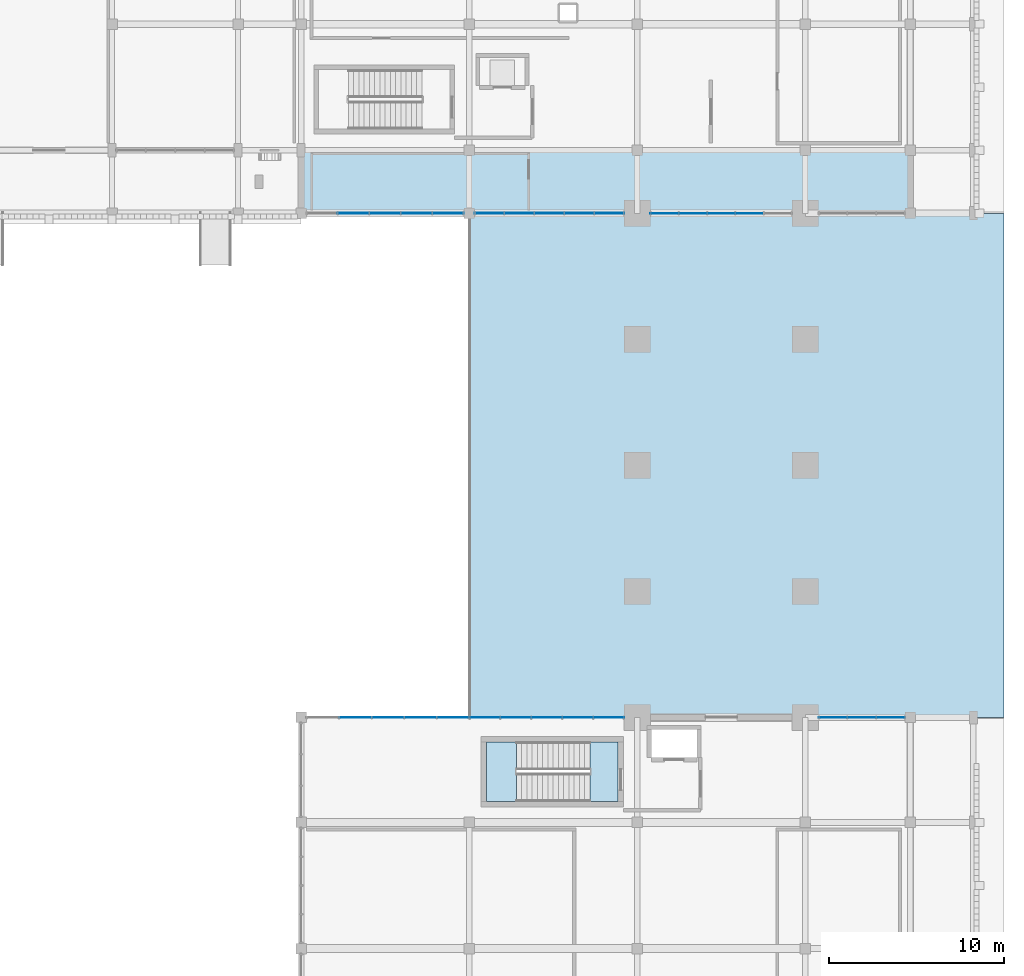
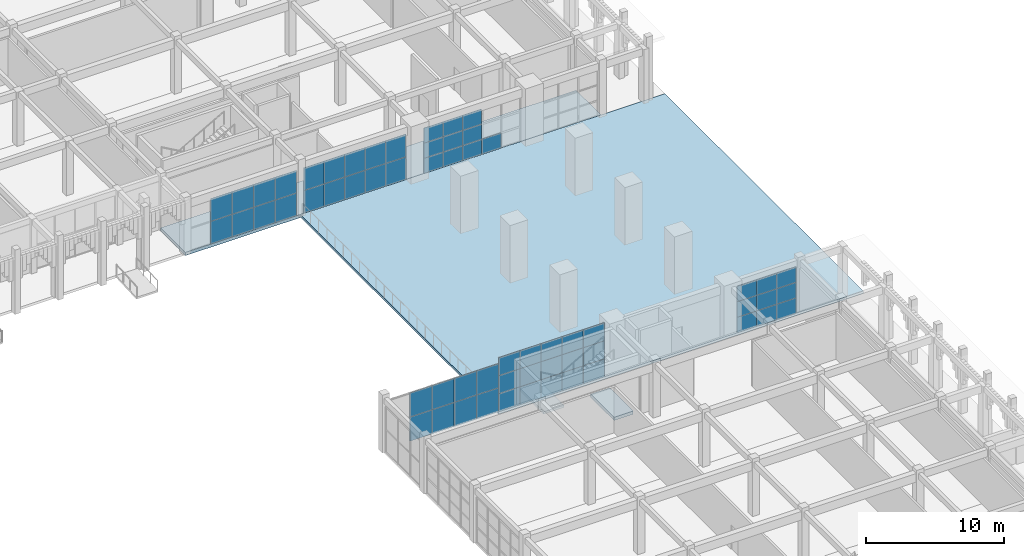
# One storey, part 33 of 72: 60 plates, 4 slabs, 7 elements without a shape of their own.
"""IFC4 building model written with IfcOpenShell, lengths in metres."""

from ifc_helpers import new_model, si_unit, direction, frame, origin, origin_2d, place, context, subcontext, project, spatial, polyline, rectangle, outline, extrude, material, layer, layer_set, type_object, element, aggregate, save


model = new_model("IFC4")

# Units and contexts
model_context = context("Model", 3, precision=1e-05, world=origin(), true_north=direction((0.0, 1.0)))
body_context = subcontext(model_context, "Body", "Model", "MODEL_VIEW")
ifc_project = project(units=[si_unit("LENGTHUNIT", "METRE"), si_unit("AREAUNIT", "SQUARE_METRE"), si_unit("VOLUMEUNIT", "CUBIC_METRE"), si_unit("PLANEANGLEUNIT", "RADIAN"), si_unit("MASSUNIT", "GRAM", prefix="KILO")], contexts=[model_context])

# Site, building, storey
site_placement = place(None, origin())
site = spatial("IfcSite", under=ifc_project, at=site_placement, CompositionType="ELEMENT")
building_placement = place(site_placement, origin())
building = spatial("IfcBuilding", under=site, at=building_placement, Name="Nzembalo Square Collegiate School", CompositionType="ELEMENT")
storey_placement = place(building_placement, origin())
storey = spatial("IfcBuildingStorey", under=building, at=storey_placement, Name="L00", CompositionType="ELEMENT", Elevation=0.0)

# Curtain wall, plates
ifc_material_1 = material(Name="Aluminium 6060-T66", Category="aluminium")
curtain_wall_type_1 = type_object("IfcCurtainWallType", Name="CW-09", PredefinedType="USERDEFINED", material=ifc_material_1)
curtain_wall_1_placement = place(storey_placement, origin())
curtain_wall_1 = element("IfcCurtainWall", 1, at=curtain_wall_1_placement, inside=storey, type_object=curtain_wall_type_1, Name="Curtain wall CW-09 cw:L00:016", ObjectType="UNITISED", PredefinedType="USERDEFINED")
ifc_material_2 = material(Name="Laminated solar-control double glazing", Category="glass")
ifc_layer_1 = layer(ifc_material_2, 0.028076171875, Name="Laminated solar-control double glazing")
ifc_layer_set_1 = layer_set([ifc_layer_1], Name="Laminated solar-control double glazing")
plate_type_1 = type_object("IfcPlateType", Name="PN01", PredefinedType="CURTAIN_PANEL", material=ifc_layer_set_1)
plate_1_placement = place(storey_placement, frame((141.284912109375, 50.39990234375, 0.00390625), z_axis=(0.0, 0.0, 1.0), x_axis=(1.0, 0.0, 0.0)))
plate_1 = element("IfcPlate", 2, at=plate_1_placement, type_object=plate_type_1, Name="PN01 glazed panel 1-1", PredefinedType="CURTAIN_PANEL", context=body_context, shape_type="SweptSolid", body=[
    extrude(rectangle(XDim=1.76171875, YDim=0.028076171875, at=origin_2d()), origin(), (0.0, 0.0, 1.0), 1.590087890625),
])
plate_2_placement = place(storey_placement, frame((143.054443359375, 50.39990234375, 0.00390625), z_axis=(0.0, 0.0, 1.0), x_axis=(1.0, 0.0, 0.0)))
plate_2 = element("IfcPlate", 3, at=plate_2_placement, type_object=plate_type_1, Name="PN01 glazed panel 1-2", PredefinedType="CURTAIN_PANEL", context=body_context, shape_type="SweptSolid", body=[
    extrude(rectangle(XDim=1.76171875, YDim=0.028076171875, at=origin_2d()), origin(), (0.0, 0.0, 1.0), 1.590087890625),
])
plate_3_placement = place(storey_placement, frame((144.823974609375, 50.39990234375, 0.00390625), z_axis=(0.0, 0.0, 1.0), x_axis=(1.0, 0.0, 0.0)))
plate_3 = element("IfcPlate", 4, at=plate_3_placement, type_object=plate_type_1, Name="PN01 glazed panel 1-3", PredefinedType="CURTAIN_PANEL", context=body_context, shape_type="SweptSolid", body=[
    extrude(rectangle(XDim=1.76171875, YDim=0.028076171875, at=origin_2d()), origin(), (0.0, 0.0, 1.0), 1.590087890625),
])
plate_4_placement = place(storey_placement, frame((146.593505859375, 50.39990234375, 0.00390625), z_axis=(0.0, 0.0, 1.0), x_axis=(1.0, 0.0, 0.0)))
plate_4 = element("IfcPlate", 5, at=plate_4_placement, type_object=plate_type_1, Name="PN01 glazed panel 1-4", PredefinedType="CURTAIN_PANEL", context=body_context, shape_type="SweptSolid", body=[
    extrude(rectangle(XDim=1.76171875, YDim=0.028076171875, at=origin_2d()), origin(), (0.0, 0.0, 1.0), 1.590087890625),
])
plate_5_placement = place(storey_placement, frame((148.36328125, 50.39990234375, 0.00390625), z_axis=(0.0, 0.0, 1.0), x_axis=(1.0, 0.0, 0.0)))
plate_5 = element("IfcPlate", 6, at=plate_5_placement, type_object=plate_type_1, Name="PN01 glazed panel 1-5", PredefinedType="CURTAIN_PANEL", context=body_context, shape_type="SweptSolid", body=[
    extrude(rectangle(XDim=1.76171875, YDim=0.028076171875, at=origin_2d()), origin(), (0.0, 0.0, 1.0), 1.590087890625),
])
plate_6_placement = place(storey_placement, frame((141.284912109375, 50.39990234375, 1.60205078125), z_axis=(0.0, 0.0, 1.0), x_axis=(1.0, 0.0, 0.0)))
plate_6 = element("IfcPlate", 7, at=plate_6_placement, type_object=plate_type_1, Name="PN01 glazed panel 2-1", PredefinedType="CURTAIN_PANEL", context=body_context, shape_type="SweptSolid", body=[
    extrude(rectangle(XDim=1.76171875, YDim=0.028076171875, at=origin_2d()), origin(), (0.0, 0.0, 1.0), 1.590087890625),
])
plate_7_placement = place(storey_placement, frame((143.054443359375, 50.39990234375, 1.60205078125), z_axis=(0.0, 0.0, 1.0), x_axis=(1.0, 0.0, 0.0)))
plate_7 = element("IfcPlate", 8, at=plate_7_placement, type_object=plate_type_1, Name="PN01 glazed panel 2-2", PredefinedType="CURTAIN_PANEL", context=body_context, shape_type="SweptSolid", body=[
    extrude(rectangle(XDim=1.76171875, YDim=0.028076171875, at=origin_2d()), origin(), (0.0, 0.0, 1.0), 1.590087890625),
])
plate_8_placement = place(storey_placement, frame((144.823974609375, 50.39990234375, 1.60205078125), z_axis=(0.0, 0.0, 1.0), x_axis=(1.0, 0.0, 0.0)))
plate_8 = element("IfcPlate", 9, at=plate_8_placement, type_object=plate_type_1, Name="PN01 glazed panel 2-3", PredefinedType="CURTAIN_PANEL", context=body_context, shape_type="SweptSolid", body=[
    extrude(rectangle(XDim=1.76171875, YDim=0.028076171875, at=origin_2d()), origin(), (0.0, 0.0, 1.0), 1.590087890625),
])
plate_9_placement = place(storey_placement, frame((146.593505859375, 50.39990234375, 1.60205078125), z_axis=(0.0, 0.0, 1.0), x_axis=(1.0, 0.0, 0.0)))
plate_9 = element("IfcPlate", 10, at=plate_9_placement, type_object=plate_type_1, Name="PN01 glazed panel 2-4", PredefinedType="CURTAIN_PANEL", context=body_context, shape_type="SweptSolid", body=[
    extrude(rectangle(XDim=1.76171875, YDim=0.028076171875, at=origin_2d()), origin(), (0.0, 0.0, 1.0), 1.590087890625),
])
plate_10_placement = place(storey_placement, frame((148.36328125, 50.39990234375, 1.60205078125), z_axis=(0.0, 0.0, 1.0), x_axis=(1.0, 0.0, 0.0)))
plate_10 = element("IfcPlate", 11, at=plate_10_placement, type_object=plate_type_1, Name="PN01 glazed panel 2-5", PredefinedType="CURTAIN_PANEL", context=body_context, shape_type="SweptSolid", body=[
    extrude(rectangle(XDim=1.76171875, YDim=0.028076171875, at=origin_2d()), origin(), (0.0, 0.0, 1.0), 1.590087890625),
])
plate_11_placement = place(storey_placement, frame((141.284912109375, 50.39990234375, 3.2001953125), z_axis=(0.0, 0.0, 1.0), x_axis=(1.0, 0.0, 0.0)))
plate_11 = element("IfcPlate", 12, at=plate_11_placement, type_object=plate_type_1, Name="PN01 glazed panel 3-1", PredefinedType="CURTAIN_PANEL", context=body_context, shape_type="SweptSolid", body=[
    extrude(rectangle(XDim=1.76171875, YDim=0.028076171875, at=origin_2d()), origin(), (0.0, 0.0, 1.0), 1.590087890625),
])
plate_12_placement = place(storey_placement, frame((143.054443359375, 50.39990234375, 3.2001953125), z_axis=(0.0, 0.0, 1.0), x_axis=(1.0, 0.0, 0.0)))
plate_12 = element("IfcPlate", 13, at=plate_12_placement, type_object=plate_type_1, Name="PN01 glazed panel 3-2", PredefinedType="CURTAIN_PANEL", context=body_context, shape_type="SweptSolid", body=[
    extrude(rectangle(XDim=1.76171875, YDim=0.028076171875, at=origin_2d()), origin(), (0.0, 0.0, 1.0), 1.590087890625),
])
plate_13_placement = place(storey_placement, frame((144.823974609375, 50.39990234375, 3.2001953125), z_axis=(0.0, 0.0, 1.0), x_axis=(1.0, 0.0, 0.0)))
plate_13 = element("IfcPlate", 14, at=plate_13_placement, type_object=plate_type_1, Name="PN01 glazed panel 3-3", PredefinedType="CURTAIN_PANEL", context=body_context, shape_type="SweptSolid", body=[
    extrude(rectangle(XDim=1.76171875, YDim=0.028076171875, at=origin_2d()), origin(), (0.0, 0.0, 1.0), 1.590087890625),
])
plate_14_placement = place(storey_placement, frame((146.593505859375, 50.39990234375, 3.2001953125), z_axis=(0.0, 0.0, 1.0), x_axis=(1.0, 0.0, 0.0)))
plate_14 = element("IfcPlate", 15, at=plate_14_placement, type_object=plate_type_1, Name="PN01 glazed panel 3-4", PredefinedType="CURTAIN_PANEL", context=body_context, shape_type="SweptSolid", body=[
    extrude(rectangle(XDim=1.76171875, YDim=0.028076171875, at=origin_2d()), origin(), (0.0, 0.0, 1.0), 1.590087890625),
])
plate_15_placement = place(storey_placement, frame((148.36328125, 50.39990234375, 3.2001953125), z_axis=(0.0, 0.0, 1.0), x_axis=(1.0, 0.0, 0.0)))
plate_15 = element("IfcPlate", 16, at=plate_15_placement, type_object=plate_type_1, Name="PN01 glazed panel 3-5", PredefinedType="CURTAIN_PANEL", context=body_context, shape_type="SweptSolid", body=[
    extrude(rectangle(XDim=1.76171875, YDim=0.028076171875, at=origin_2d()), origin(), (0.0, 0.0, 1.0), 1.590087890625),
])
aggregate(curtain_wall_1, [plate_1, plate_2, plate_3, plate_4, plate_5, plate_6, plate_7, plate_8, plate_9, plate_10, plate_11, plate_12, plate_13, plate_14, plate_15])

curtain_wall_2_placement = place(storey_placement, origin())
curtain_wall_2 = element("IfcCurtainWall", 17, at=curtain_wall_2_placement, inside=storey, type_object=curtain_wall_type_1, Name="Curtain wall CW-09 cw:L00:024", ObjectType="UNITISED", PredefinedType="USERDEFINED")
plate_16_placement = place(storey_placement, frame((151.5615234375, 79.199951171875, 0.00390625), z_axis=(0.0, 0.0, 1.0), x_axis=(1.0, 0.0, 0.0)))
plate_16 = element("IfcPlate", 18, at=plate_16_placement, type_object=plate_type_1, Name="PN01 glazed panel 1-1", PredefinedType="CURTAIN_PANEL", context=body_context, shape_type="SweptSolid", body=[
    extrude(rectangle(XDim=1.611083984375, YDim=0.028076171875, at=origin_2d()), origin(), (0.0, 0.0, 1.0), 1.336669921875),
])
plate_17_placement = place(storey_placement, frame((153.180908203125, 79.199951171875, 0.00390625), z_axis=(0.0, 0.0, 1.0), x_axis=(1.0, 0.0, 0.0)))
plate_17 = element("IfcPlate", 19, at=plate_17_placement, type_object=plate_type_1, Name="PN01 glazed panel 1-2", PredefinedType="CURTAIN_PANEL", context=body_context, shape_type="SweptSolid", body=[
    extrude(rectangle(XDim=1.611083984375, YDim=0.028076171875, at=origin_2d()), origin(), (0.0, 0.0, 1.0), 1.336669921875),
])
plate_18_placement = place(storey_placement, frame((154.800048828125, 79.199951171875, 0.00390625), z_axis=(0.0, 0.0, 1.0), x_axis=(1.0, 0.0, 0.0)))
plate_18 = element("IfcPlate", 20, at=plate_18_placement, type_object=plate_type_1, Name="PN01 glazed panel 1-3", PredefinedType="CURTAIN_PANEL", context=body_context, shape_type="SweptSolid", body=[
    extrude(rectangle(XDim=1.611083984375, YDim=0.028076171875, at=origin_2d()), origin(), (0.0, 0.0, 1.0), 1.336669921875),
])
plate_19_placement = place(storey_placement, frame((156.419189453125, 79.199951171875, 0.00390625), z_axis=(0.0, 0.0, 1.0), x_axis=(1.0, 0.0, 0.0)))
plate_19 = element("IfcPlate", 21, at=plate_19_placement, type_object=plate_type_1, Name="PN01 glazed panel 1-4", PredefinedType="CURTAIN_PANEL", context=body_context, shape_type="SweptSolid", body=[
    extrude(rectangle(XDim=1.611083984375, YDim=0.028076171875, at=origin_2d()), origin(), (0.0, 0.0, 1.0), 1.336669921875),
])
plate_20_placement = place(storey_placement, frame((151.5615234375, 79.199951171875, 1.3486328125), z_axis=(0.0, 0.0, 1.0), x_axis=(1.0, 0.0, 0.0)))
plate_20 = element("IfcPlate", 22, at=plate_20_placement, type_object=plate_type_1, Name="PN01 glazed panel 2-1", PredefinedType="CURTAIN_PANEL", context=body_context, shape_type="SweptSolid", body=[
    extrude(rectangle(XDim=1.611083984375, YDim=0.028076171875, at=origin_2d()), origin(), (0.0, 0.0, 1.0), 1.336669921875),
])
plate_21_placement = place(storey_placement, frame((153.180908203125, 79.199951171875, 1.3486328125), z_axis=(0.0, 0.0, 1.0), x_axis=(1.0, 0.0, 0.0)))
plate_21 = element("IfcPlate", 23, at=plate_21_placement, type_object=plate_type_1, Name="PN01 glazed panel 2-2", PredefinedType="CURTAIN_PANEL", context=body_context, shape_type="SweptSolid", body=[
    extrude(rectangle(XDim=1.611083984375, YDim=0.028076171875, at=origin_2d()), origin(), (0.0, 0.0, 1.0), 1.336669921875),
])
plate_22_placement = place(storey_placement, frame((154.800048828125, 79.199951171875, 1.3486328125), z_axis=(0.0, 0.0, 1.0), x_axis=(1.0, 0.0, 0.0)))
plate_22 = element("IfcPlate", 24, at=plate_22_placement, type_object=plate_type_1, Name="PN01 glazed panel 2-3", PredefinedType="CURTAIN_PANEL", context=body_context, shape_type="SweptSolid", body=[
    extrude(rectangle(XDim=1.611083984375, YDim=0.028076171875, at=origin_2d()), origin(), (0.0, 0.0, 1.0), 1.336669921875),
])
plate_23_placement = place(storey_placement, frame((151.5615234375, 79.199951171875, 2.693359375), z_axis=(0.0, 0.0, 1.0), x_axis=(1.0, 0.0, 0.0)))
plate_23 = element("IfcPlate", 25, at=plate_23_placement, type_object=plate_type_1, Name="PN01 glazed panel 3-1", PredefinedType="CURTAIN_PANEL", context=body_context, shape_type="SweptSolid", body=[
    extrude(rectangle(XDim=1.611083984375, YDim=0.028076171875, at=origin_2d()), origin(), (0.0, 0.0, 1.0), 1.336669921875),
])
plate_24_placement = place(storey_placement, frame((153.180908203125, 79.199951171875, 2.693359375), z_axis=(0.0, 0.0, 1.0), x_axis=(1.0, 0.0, 0.0)))
plate_24 = element("IfcPlate", 26, at=plate_24_placement, type_object=plate_type_1, Name="PN01 glazed panel 3-2", PredefinedType="CURTAIN_PANEL", context=body_context, shape_type="SweptSolid", body=[
    extrude(rectangle(XDim=1.611083984375, YDim=0.028076171875, at=origin_2d()), origin(), (0.0, 0.0, 1.0), 1.336669921875),
])
plate_25_placement = place(storey_placement, frame((154.800048828125, 79.199951171875, 2.693359375), z_axis=(0.0, 0.0, 1.0), x_axis=(1.0, 0.0, 0.0)))
plate_25 = element("IfcPlate", 27, at=plate_25_placement, type_object=plate_type_1, Name="PN01 glazed panel 3-3", PredefinedType="CURTAIN_PANEL", context=body_context, shape_type="SweptSolid", body=[
    extrude(rectangle(XDim=1.611083984375, YDim=0.028076171875, at=origin_2d()), origin(), (0.0, 0.0, 1.0), 1.336669921875),
])
aggregate(curtain_wall_2, [plate_16, plate_17, plate_18, plate_19, plate_20, plate_21, plate_22, plate_23, plate_24, plate_25])

ifc_material_3 = material(Name="Aluminium 6060-T66", Category="aluminium")
curtain_wall_type_2 = type_object("IfcCurtainWallType", Name="CW-12", PredefinedType="USERDEFINED", material=ifc_material_3)
curtain_wall_3_placement = place(storey_placement, origin())
curtain_wall_3 = element("IfcCurtainWall", 28, at=curtain_wall_3_placement, inside=storey, type_object=curtain_wall_type_2, Name="Curtain wall CW-12 cw:L00:015", ObjectType="LANCET", PredefinedType="USERDEFINED")
ifc_material_4 = material(Name="Acoustic laminated solar-control glazing", Category="glass")
ifc_layer_2 = layer(ifc_material_4, 0.031982421875, Name="Acoustic laminated solar-control glazing")
ifc_layer_set_2 = layer_set([ifc_layer_2], Name="Acoustic laminated solar-control glazing")
plate_type_2 = type_object("IfcPlateType", Name="PN02", PredefinedType="CURTAIN_PANEL", material=ifc_layer_set_2)
plate_26_placement = place(storey_placement, frame((133.891357421875, 50.39990234375, 0.00390625), z_axis=(0.0, 0.0, 1.0), x_axis=(1.0, 0.0, 0.0)))
plate_26 = element("IfcPlate", 29, at=plate_26_placement, type_object=plate_type_2, Name="PN02 glazed panel 1-2", PredefinedType="CURTAIN_PANEL", context=body_context, shape_type="SweptSolid", body=[
    extrude(rectangle(XDim=1.8515625, YDim=0.031982421875, at=origin_2d()), origin(), (0.0, 0.0, 1.0), 2.134033203125),
])
plate_27_placement = place(storey_placement, frame((135.7509765625, 50.39990234375, 0.00390625), z_axis=(0.0, 0.0, 1.0), x_axis=(1.0, 0.0, 0.0)))
plate_27 = element("IfcPlate", 30, at=plate_27_placement, type_object=plate_type_2, Name="PN02 glazed panel 1-3", PredefinedType="CURTAIN_PANEL", context=body_context, shape_type="SweptSolid", body=[
    extrude(rectangle(XDim=1.8515625, YDim=0.031982421875, at=origin_2d()), origin(), (0.0, 0.0, 1.0), 2.134033203125),
])
plate_28_placement = place(storey_placement, frame((137.610595703125, 50.39990234375, 0.00390625), z_axis=(0.0, 0.0, 1.0), x_axis=(1.0, 0.0, 0.0)))
plate_28 = element("IfcPlate", 31, at=plate_28_placement, type_object=plate_type_2, Name="PN02 glazed panel 1-4", PredefinedType="CURTAIN_PANEL", context=body_context, shape_type="SweptSolid", body=[
    extrude(rectangle(XDim=1.8515625, YDim=0.031982421875, at=origin_2d()), origin(), (0.0, 0.0, 1.0), 2.134033203125),
])
plate_29_placement = place(storey_placement, frame((139.47021484375, 50.39990234375, 0.00390625), z_axis=(0.0, 0.0, 1.0), x_axis=(1.0, 0.0, 0.0)))
plate_29 = element("IfcPlate", 32, at=plate_29_placement, type_object=plate_type_2, Name="PN02 glazed panel 1-5", PredefinedType="CURTAIN_PANEL", context=body_context, shape_type="SweptSolid", body=[
    extrude(rectangle(XDim=1.8515625, YDim=0.031982421875, at=origin_2d()), origin(), (0.0, 0.0, 1.0), 2.134033203125),
])
plate_30_placement = place(storey_placement, frame((133.891357421875, 50.39990234375, 2.14599609375), z_axis=(0.0, 0.0, 1.0), x_axis=(1.0, 0.0, 0.0)))
plate_30 = element("IfcPlate", 33, at=plate_30_placement, type_object=plate_type_2, Name="PN02 glazed panel 2-2", PredefinedType="CURTAIN_PANEL", context=body_context, shape_type="SweptSolid", body=[
    extrude(rectangle(XDim=1.8515625, YDim=0.031982421875, at=origin_2d()), origin(), (0.0, 0.0, 1.0), 2.134033203125),
])
plate_31_placement = place(storey_placement, frame((135.7509765625, 50.39990234375, 2.14599609375), z_axis=(0.0, 0.0, 1.0), x_axis=(1.0, 0.0, 0.0)))
plate_31 = element("IfcPlate", 34, at=plate_31_placement, type_object=plate_type_2, Name="PN02 glazed panel 2-3", PredefinedType="CURTAIN_PANEL", context=body_context, shape_type="SweptSolid", body=[
    extrude(rectangle(XDim=1.8515625, YDim=0.031982421875, at=origin_2d()), origin(), (0.0, 0.0, 1.0), 2.134033203125),
])
plate_32_placement = place(storey_placement, frame((137.610595703125, 50.39990234375, 2.14599609375), z_axis=(0.0, 0.0, 1.0), x_axis=(1.0, 0.0, 0.0)))
plate_32 = element("IfcPlate", 35, at=plate_32_placement, type_object=plate_type_2, Name="PN02 glazed panel 2-4", PredefinedType="CURTAIN_PANEL", context=body_context, shape_type="SweptSolid", body=[
    extrude(rectangle(XDim=1.8515625, YDim=0.031982421875, at=origin_2d()), origin(), (0.0, 0.0, 1.0), 2.134033203125),
])
plate_33_placement = place(storey_placement, frame((139.47021484375, 50.39990234375, 2.14599609375), z_axis=(0.0, 0.0, 1.0), x_axis=(1.0, 0.0, 0.0)))
plate_33 = element("IfcPlate", 36, at=plate_33_placement, type_object=plate_type_2, Name="PN02 glazed panel 2-5", PredefinedType="CURTAIN_PANEL", context=body_context, shape_type="SweptSolid", body=[
    extrude(rectangle(XDim=1.8515625, YDim=0.031982421875, at=origin_2d()), origin(), (0.0, 0.0, 1.0), 2.134033203125),
])
aggregate(curtain_wall_3, [plate_26, plate_27, plate_28, plate_29, plate_30, plate_31, plate_32, plate_33])

ifc_material_5 = material(Name="Aluminium 6060-T66", Category="aluminium")
curtain_wall_type_3 = type_object("IfcCurtainWallType", Name="CW-14", PredefinedType="USERDEFINED", material=ifc_material_5)
curtain_wall_4_placement = place(storey_placement, origin())
curtain_wall_4 = element("IfcCurtainWall", 37, at=curtain_wall_4_placement, inside=storey, type_object=curtain_wall_type_3, Name="Curtain wall CW-14 cw:L00:017", ObjectType="UNITISED", PredefinedType="USERDEFINED")
plate_34_placement = place(storey_placement, frame((161.17626953125, 50.39990234375, 0.00390625), z_axis=(0.0, 0.0, 1.0), x_axis=(1.0, 0.0, 0.0)))
plate_34 = element("IfcPlate", 38, at=plate_34_placement, type_object=plate_type_2, Name="PN02 glazed panel 1-1", PredefinedType="CURTAIN_PANEL", context=body_context, shape_type="SweptSolid", body=[
    extrude(rectangle(XDim=1.640625, YDim=0.031982421875, at=origin_2d()), origin(), (0.0, 0.0, 1.0), 1.3701171875),
])
plate_35_placement = place(storey_placement, frame((162.824951171875, 50.39990234375, 0.00390625), z_axis=(0.0, 0.0, 1.0), x_axis=(1.0, 0.0, 0.0)))
plate_35 = element("IfcPlate", 39, at=plate_35_placement, type_object=plate_type_2, Name="PN02 glazed panel 1-2", PredefinedType="CURTAIN_PANEL", context=body_context, shape_type="SweptSolid", body=[
    extrude(rectangle(XDim=1.640625, YDim=0.031982421875, at=origin_2d()), origin(), (0.0, 0.0, 1.0), 1.3701171875),
])
plate_36_placement = place(storey_placement, frame((164.4736328125, 50.39990234375, 0.00390625), z_axis=(0.0, 0.0, 1.0), x_axis=(1.0, 0.0, 0.0)))
plate_36 = element("IfcPlate", 40, at=plate_36_placement, type_object=plate_type_2, Name="PN02 glazed panel 1-3", PredefinedType="CURTAIN_PANEL", context=body_context, shape_type="SweptSolid", body=[
    extrude(rectangle(XDim=1.640625, YDim=0.031982421875, at=origin_2d()), origin(), (0.0, 0.0, 1.0), 1.3701171875),
])
plate_37_placement = place(storey_placement, frame((161.17626953125, 50.39990234375, 1.3818359375), z_axis=(0.0, 0.0, 1.0), x_axis=(1.0, 0.0, 0.0)))
plate_37 = element("IfcPlate", 41, at=plate_37_placement, type_object=plate_type_2, Name="PN02 glazed panel 2-1", PredefinedType="CURTAIN_PANEL", context=body_context, shape_type="SweptSolid", body=[
    extrude(rectangle(XDim=1.640625, YDim=0.031982421875, at=origin_2d()), origin(), (0.0, 0.0, 1.0), 1.3701171875),
])
plate_38_placement = place(storey_placement, frame((162.824951171875, 50.39990234375, 1.3818359375), z_axis=(0.0, 0.0, 1.0), x_axis=(1.0, 0.0, 0.0)))
plate_38 = element("IfcPlate", 42, at=plate_38_placement, type_object=plate_type_2, Name="PN02 glazed panel 2-2", PredefinedType="CURTAIN_PANEL", context=body_context, shape_type="SweptSolid", body=[
    extrude(rectangle(XDim=1.640625, YDim=0.031982421875, at=origin_2d()), origin(), (0.0, 0.0, 1.0), 1.3701171875),
])
plate_39_placement = place(storey_placement, frame((164.4736328125, 50.39990234375, 1.3818359375), z_axis=(0.0, 0.0, 1.0), x_axis=(1.0, 0.0, 0.0)))
plate_39 = element("IfcPlate", 43, at=plate_39_placement, type_object=plate_type_2, Name="PN02 glazed panel 2-3", PredefinedType="CURTAIN_PANEL", context=body_context, shape_type="SweptSolid", body=[
    extrude(rectangle(XDim=1.640625, YDim=0.031982421875, at=origin_2d()), origin(), (0.0, 0.0, 1.0), 1.3701171875),
])
plate_40_placement = place(storey_placement, frame((161.17626953125, 50.39990234375, 2.760009765625), z_axis=(0.0, 0.0, 1.0), x_axis=(1.0, 0.0, 0.0)))
plate_40 = element("IfcPlate", 44, at=plate_40_placement, type_object=plate_type_2, Name="PN02 glazed panel 3-1", PredefinedType="CURTAIN_PANEL", context=body_context, shape_type="SweptSolid", body=[
    extrude(rectangle(XDim=1.640625, YDim=0.031982421875, at=origin_2d()), origin(), (0.0, 0.0, 1.0), 1.3701171875),
])
plate_41_placement = place(storey_placement, frame((162.824951171875, 50.39990234375, 2.760009765625), z_axis=(0.0, 0.0, 1.0), x_axis=(1.0, 0.0, 0.0)))
plate_41 = element("IfcPlate", 45, at=plate_41_placement, type_object=plate_type_2, Name="PN02 glazed panel 3-2", PredefinedType="CURTAIN_PANEL", context=body_context, shape_type="SweptSolid", body=[
    extrude(rectangle(XDim=1.640625, YDim=0.031982421875, at=origin_2d()), origin(), (0.0, 0.0, 1.0), 1.3701171875),
])
plate_42_placement = place(storey_placement, frame((164.4736328125, 50.39990234375, 2.760009765625), z_axis=(0.0, 0.0, 1.0), x_axis=(1.0, 0.0, 0.0)))
plate_42 = element("IfcPlate", 46, at=plate_42_placement, type_object=plate_type_2, Name="PN02 glazed panel 3-3", PredefinedType="CURTAIN_PANEL", context=body_context, shape_type="SweptSolid", body=[
    extrude(rectangle(XDim=1.640625, YDim=0.031982421875, at=origin_2d()), origin(), (0.0, 0.0, 1.0), 1.3701171875),
])
aggregate(curtain_wall_4, [plate_34, plate_35, plate_36, plate_37, plate_38, plate_39, plate_40, plate_41, plate_42])

ifc_material_6 = material(Name="Aluminium 6060-T66", Category="aluminium")
curtain_wall_type_4 = type_object("IfcCurtainWallType", Name="CW-11", PredefinedType="USERDEFINED", material=ifc_material_6)
curtain_wall_5_placement = place(storey_placement, origin())
curtain_wall_5 = element("IfcCurtainWall", 47, at=curtain_wall_5_placement, inside=storey, type_object=curtain_wall_type_4, Name="Curtain wall CW-11 cw:L00:022", ObjectType="LANCET", PredefinedType="USERDEFINED")
plate_43_placement = place(storey_placement, frame((133.80078125, 79.199951171875, 0.00390625), z_axis=(0.0, 0.0, 1.0), x_axis=(1.0, 0.0, 0.0)))
plate_43 = element("IfcPlate", 48, at=plate_43_placement, type_object=plate_type_2, Name="PN02 glazed panel 1-2", PredefinedType="CURTAIN_PANEL", context=body_context, shape_type="SweptSolid", body=[
    extrude(rectangle(XDim=1.791259765625, YDim=0.031982421875, at=origin_2d()), origin(), (0.0, 0.0, 1.0), 2.009033203125),
])
plate_44_placement = place(storey_placement, frame((135.60009765625, 79.199951171875, 0.00390625), z_axis=(0.0, 0.0, 1.0), x_axis=(1.0, 0.0, 0.0)))
plate_44 = element("IfcPlate", 49, at=plate_44_placement, type_object=plate_type_2, Name="PN02 glazed panel 1-3", PredefinedType="CURTAIN_PANEL", context=body_context, shape_type="SweptSolid", body=[
    extrude(rectangle(XDim=1.791259765625, YDim=0.031982421875, at=origin_2d()), origin(), (0.0, 0.0, 1.0), 2.009033203125),
])
plate_45_placement = place(storey_placement, frame((137.399169921875, 79.199951171875, 0.00390625), z_axis=(0.0, 0.0, 1.0), x_axis=(1.0, 0.0, 0.0)))
plate_45 = element("IfcPlate", 50, at=plate_45_placement, type_object=plate_type_2, Name="PN02 glazed panel 1-4", PredefinedType="CURTAIN_PANEL", context=body_context, shape_type="SweptSolid", body=[
    extrude(rectangle(XDim=1.791259765625, YDim=0.031982421875, at=origin_2d()), origin(), (0.0, 0.0, 1.0), 2.009033203125),
])
plate_46_placement = place(storey_placement, frame((139.198486328125, 79.199951171875, 0.00390625), z_axis=(0.0, 0.0, 1.0), x_axis=(1.0, 0.0, 0.0)))
plate_46 = element("IfcPlate", 51, at=plate_46_placement, type_object=plate_type_2, Name="PN02 glazed panel 1-5", PredefinedType="CURTAIN_PANEL", context=body_context, shape_type="SweptSolid", body=[
    extrude(rectangle(XDim=1.791259765625, YDim=0.031982421875, at=origin_2d()), origin(), (0.0, 0.0, 1.0), 2.009033203125),
])
plate_47_placement = place(storey_placement, frame((133.80078125, 79.199951171875, 2.02099609375), z_axis=(0.0, 0.0, 1.0), x_axis=(1.0, 0.0, 0.0)))
plate_47 = element("IfcPlate", 52, at=plate_47_placement, type_object=plate_type_2, Name="PN02 glazed panel 2-2", PredefinedType="CURTAIN_PANEL", context=body_context, shape_type="SweptSolid", body=[
    extrude(rectangle(XDim=1.791259765625, YDim=0.031982421875, at=origin_2d()), origin(), (0.0, 0.0, 1.0), 2.009033203125),
])
plate_48_placement = place(storey_placement, frame((135.60009765625, 79.199951171875, 2.02099609375), z_axis=(0.0, 0.0, 1.0), x_axis=(1.0, 0.0, 0.0)))
plate_48 = element("IfcPlate", 53, at=plate_48_placement, type_object=plate_type_2, Name="PN02 glazed panel 2-3", PredefinedType="CURTAIN_PANEL", context=body_context, shape_type="SweptSolid", body=[
    extrude(rectangle(XDim=1.791259765625, YDim=0.031982421875, at=origin_2d()), origin(), (0.0, 0.0, 1.0), 2.009033203125),
])
plate_49_placement = place(storey_placement, frame((137.399169921875, 79.199951171875, 2.02099609375), z_axis=(0.0, 0.0, 1.0), x_axis=(1.0, 0.0, 0.0)))
plate_49 = element("IfcPlate", 54, at=plate_49_placement, type_object=plate_type_2, Name="PN02 glazed panel 2-4", PredefinedType="CURTAIN_PANEL", context=body_context, shape_type="SweptSolid", body=[
    extrude(rectangle(XDim=1.791259765625, YDim=0.031982421875, at=origin_2d()), origin(), (0.0, 0.0, 1.0), 2.009033203125),
])
plate_50_placement = place(storey_placement, frame((139.198486328125, 79.199951171875, 2.02099609375), z_axis=(0.0, 0.0, 1.0), x_axis=(1.0, 0.0, 0.0)))
plate_50 = element("IfcPlate", 55, at=plate_50_placement, type_object=plate_type_2, Name="PN02 glazed panel 2-5", PredefinedType="CURTAIN_PANEL", context=body_context, shape_type="SweptSolid", body=[
    extrude(rectangle(XDim=1.791259765625, YDim=0.031982421875, at=origin_2d()), origin(), (0.0, 0.0, 1.0), 2.009033203125),
])
aggregate(curtain_wall_5, [plate_43, plate_44, plate_45, plate_46, plate_47, plate_48, plate_49, plate_50])

curtain_wall_6_placement = place(storey_placement, origin())
curtain_wall_6 = element("IfcCurtainWall", 56, at=curtain_wall_6_placement, inside=storey, type_object=curtain_wall_type_2, Name="Curtain wall CW-12 cw:L00:023", ObjectType="LANCET", PredefinedType="USERDEFINED")
plate_51_placement = place(storey_placement, frame((141.556640625, 79.199951171875, 0.00390625), z_axis=(0.0, 0.0, 1.0), x_axis=(1.0, 0.0, 0.0)))
plate_51 = element("IfcPlate", 57, at=plate_51_placement, type_object=plate_type_2, Name="PN02 glazed panel 1-1", PredefinedType="CURTAIN_PANEL", context=body_context, shape_type="SweptSolid", body=[
    extrude(rectangle(XDim=1.701171875, YDim=0.031982421875, at=origin_2d()), origin(), (0.0, 0.0, 1.0), 2.009033203125),
])
plate_52_placement = place(storey_placement, frame((143.265869140625, 79.199951171875, 0.00390625), z_axis=(0.0, 0.0, 1.0), x_axis=(1.0, 0.0, 0.0)))
plate_52 = element("IfcPlate", 58, at=plate_52_placement, type_object=plate_type_2, Name="PN02 glazed panel 1-2", PredefinedType="CURTAIN_PANEL", context=body_context, shape_type="SweptSolid", body=[
    extrude(rectangle(XDim=1.701171875, YDim=0.031982421875, at=origin_2d()), origin(), (0.0, 0.0, 1.0), 2.009033203125),
])
plate_53_placement = place(storey_placement, frame((144.97509765625, 79.199951171875, 0.00390625), z_axis=(0.0, 0.0, 1.0), x_axis=(1.0, 0.0, 0.0)))
plate_53 = element("IfcPlate", 59, at=plate_53_placement, type_object=plate_type_2, Name="PN02 glazed panel 1-3", PredefinedType="CURTAIN_PANEL", context=body_context, shape_type="SweptSolid", body=[
    extrude(rectangle(XDim=1.701171875, YDim=0.031982421875, at=origin_2d()), origin(), (0.0, 0.0, 1.0), 2.009033203125),
])
plate_54_placement = place(storey_placement, frame((146.68408203125, 79.199951171875, 0.00390625), z_axis=(0.0, 0.0, 1.0), x_axis=(1.0, 0.0, 0.0)))
plate_54 = element("IfcPlate", 60, at=plate_54_placement, type_object=plate_type_2, Name="PN02 glazed panel 1-4", PredefinedType="CURTAIN_PANEL", context=body_context, shape_type="SweptSolid", body=[
    extrude(rectangle(XDim=1.701171875, YDim=0.031982421875, at=origin_2d()), origin(), (0.0, 0.0, 1.0), 2.009033203125),
])
plate_55_placement = place(storey_placement, frame((148.393310546875, 79.199951171875, 0.00390625), z_axis=(0.0, 0.0, 1.0), x_axis=(1.0, 0.0, 0.0)))
plate_55 = element("IfcPlate", 61, at=plate_55_placement, type_object=plate_type_2, Name="PN02 glazed panel 1-5", PredefinedType="CURTAIN_PANEL", context=body_context, shape_type="SweptSolid", body=[
    extrude(rectangle(XDim=1.701171875, YDim=0.031982421875, at=origin_2d()), origin(), (0.0, 0.0, 1.0), 2.009033203125),
])
plate_56_placement = place(storey_placement, frame((141.556640625, 79.199951171875, 2.02099609375), z_axis=(0.0, 0.0, 1.0), x_axis=(1.0, 0.0, 0.0)))
plate_56 = element("IfcPlate", 62, at=plate_56_placement, type_object=plate_type_2, Name="PN02 glazed panel 2-1", PredefinedType="CURTAIN_PANEL", context=body_context, shape_type="SweptSolid", body=[
    extrude(rectangle(XDim=1.701171875, YDim=0.031982421875, at=origin_2d()), origin(), (0.0, 0.0, 1.0), 2.009033203125),
])
plate_57_placement = place(storey_placement, frame((143.265869140625, 79.199951171875, 2.02099609375), z_axis=(0.0, 0.0, 1.0), x_axis=(1.0, 0.0, 0.0)))
plate_57 = element("IfcPlate", 63, at=plate_57_placement, type_object=plate_type_2, Name="PN02 glazed panel 2-2", PredefinedType="CURTAIN_PANEL", context=body_context, shape_type="SweptSolid", body=[
    extrude(rectangle(XDim=1.701171875, YDim=0.031982421875, at=origin_2d()), origin(), (0.0, 0.0, 1.0), 2.009033203125),
])
plate_58_placement = place(storey_placement, frame((144.97509765625, 79.199951171875, 2.02099609375), z_axis=(0.0, 0.0, 1.0), x_axis=(1.0, 0.0, 0.0)))
plate_58 = element("IfcPlate", 64, at=plate_58_placement, type_object=plate_type_2, Name="PN02 glazed panel 2-3", PredefinedType="CURTAIN_PANEL", context=body_context, shape_type="SweptSolid", body=[
    extrude(rectangle(XDim=1.701171875, YDim=0.031982421875, at=origin_2d()), origin(), (0.0, 0.0, 1.0), 2.009033203125),
])
plate_59_placement = place(storey_placement, frame((146.68408203125, 79.199951171875, 2.02099609375), z_axis=(0.0, 0.0, 1.0), x_axis=(1.0, 0.0, 0.0)))
plate_59 = element("IfcPlate", 65, at=plate_59_placement, type_object=plate_type_2, Name="PN02 glazed panel 2-4", PredefinedType="CURTAIN_PANEL", context=body_context, shape_type="SweptSolid", body=[
    extrude(rectangle(XDim=1.701171875, YDim=0.031982421875, at=origin_2d()), origin(), (0.0, 0.0, 1.0), 2.009033203125),
])
plate_60_placement = place(storey_placement, frame((148.393310546875, 79.199951171875, 2.02099609375), z_axis=(0.0, 0.0, 1.0), x_axis=(1.0, 0.0, 0.0)))
plate_60 = element("IfcPlate", 66, at=plate_60_placement, type_object=plate_type_2, Name="PN02 glazed panel 2-5", PredefinedType="CURTAIN_PANEL", context=body_context, shape_type="SweptSolid", body=[
    extrude(rectangle(XDim=1.701171875, YDim=0.031982421875, at=origin_2d()), origin(), (0.0, 0.0, 1.0), 2.009033203125),
])
aggregate(curtain_wall_6, [plate_51, plate_52, plate_53, plate_54, plate_55, plate_56, plate_57, plate_58, plate_59, plate_60])

# Stair, slab
ifc_material_7 = material(Name="Precast concrete C40/50", Category="concrete")
stair_type = type_object("IfcStairType", Name="ST-30R", PredefinedType="HALF_TURN_STAIR", material=ifc_material_7)
stair_placement = place(storey_placement, origin())
stair = element("IfcStair", 67, at=stair_placement, inside=storey, type_object=stair_type, Name="Escape stair ST-19 (C5 L00)", PredefinedType="HALF_TURN_STAIR")
ifc_material_8 = material(Name="Precast concrete C40/50", Category="concrete")
ifc_layer_3 = layer(ifc_material_8, 0.199951171875, Name="Precast concrete C40/50")
ifc_layer_set_3 = layer_set([ifc_layer_3], Name="Precast concrete C40/50")
slab_type_1 = type_object("IfcSlabType", Name="SL-LDG", PredefinedType="LANDING", material=ifc_layer_set_3)
slab_1_placement = place(storey_placement, frame((0.0, 0.0, 2.35009765625)))
slab_1 = element("IfcSlab", 68, at=slab_1_placement, type_object=slab_type_1, Name="ST-19 landing 1", PredefinedType="LANDING", context=body_context, shape_type="SweptSolid", body=[
    extrude(outline(polyline([(143.10009765625, 49.0), (141.39990234375, 49.0), (141.39990234375, 45.60009765625), (143.10009765625, 45.60009765625), (143.10009765625, 49.0)])), origin(), (0.0, 0.0, 1.0), 0.199951171875),
])
aggregate(stair, [slab_1])

# Slabs
ifc_material_9 = material(Name="Concrete C35/45", Category="concrete")
ifc_layer_4 = layer(ifc_material_9, 0.219970703125, Name="Concrete C35/45")
ifc_layer_set_4 = layer_set([ifc_layer_4], Name="Concrete C35/45")
slab_type_2 = type_object("IfcSlabType", Name="SL-00E", PredefinedType="FLOOR", material=ifc_layer_set_4)
slab_2_placement = place(storey_placement, frame((0.0, 0.0, -0.219970703125)))
element("IfcSlab", 69, at=slab_2_placement, inside=storey, type_object=slab_type_2, Name="Slab SL-L00-23", PredefinedType="FLOOR", context=body_context, shape_type="SweptSolid", body=[
    extrude(outline(polyline([(140.39990234375, 50.39990234375), (170.949951171875, 50.39990234375), (170.949951171875, 79.199951171875), (140.39990234375, 79.199951171875), (140.39990234375, 50.39990234375)])), origin(), (0.0, 0.0, 1.0), 0.219970703125),
])
ifc_material_10 = material(Name="Concrete C35/45", Category="concrete")
ifc_layer_5 = layer(ifc_material_10, 0.280029296875, Name="Concrete C35/45")
ifc_layer_set_5 = layer_set([ifc_layer_5], Name="Concrete C35/45")
slab_type_3 = type_object("IfcSlabType", Name="SL-00", PredefinedType="FLOOR", material=ifc_layer_set_5)
slab_3_placement = place(storey_placement, frame((0.0, 0.0, -0.280029296875)))
element("IfcSlab", 70, at=slab_3_placement, inside=storey, type_object=slab_type_3, Name="Slab SL-L00-18", PredefinedType="FLOOR", context=body_context, shape_type="SweptSolid", body=[
    extrude(outline(polyline([(130.800048828125, 79.199951171875), (165.60009765625, 79.199951171875), (165.60009765625, 82.800048828125), (130.800048828125, 82.800048828125), (130.800048828125, 79.199951171875)])), origin(), (0.0, 0.0, 1.0), 0.280029296875),
])
slab_4_placement = place(storey_placement, frame((0.0, 0.0, -0.280029296875)))
element("IfcSlab", 71, at=slab_4_placement, inside=storey, type_object=slab_type_3, Name="Core C5 floor landing slab SL-L00-C5", PredefinedType="FLOOR", context=body_context, shape_type="SweptSolid", body=[
    extrude(outline(polyline([(147.300048828125, 45.60009765625), (148.89990234375, 45.60009765625), (148.89990234375, 49.0), (147.300048828125, 49.0), (147.300048828125, 45.60009765625)])), origin(), (0.0, 0.0, 1.0), 0.280029296875),
])

save(model, "model.ifc")
